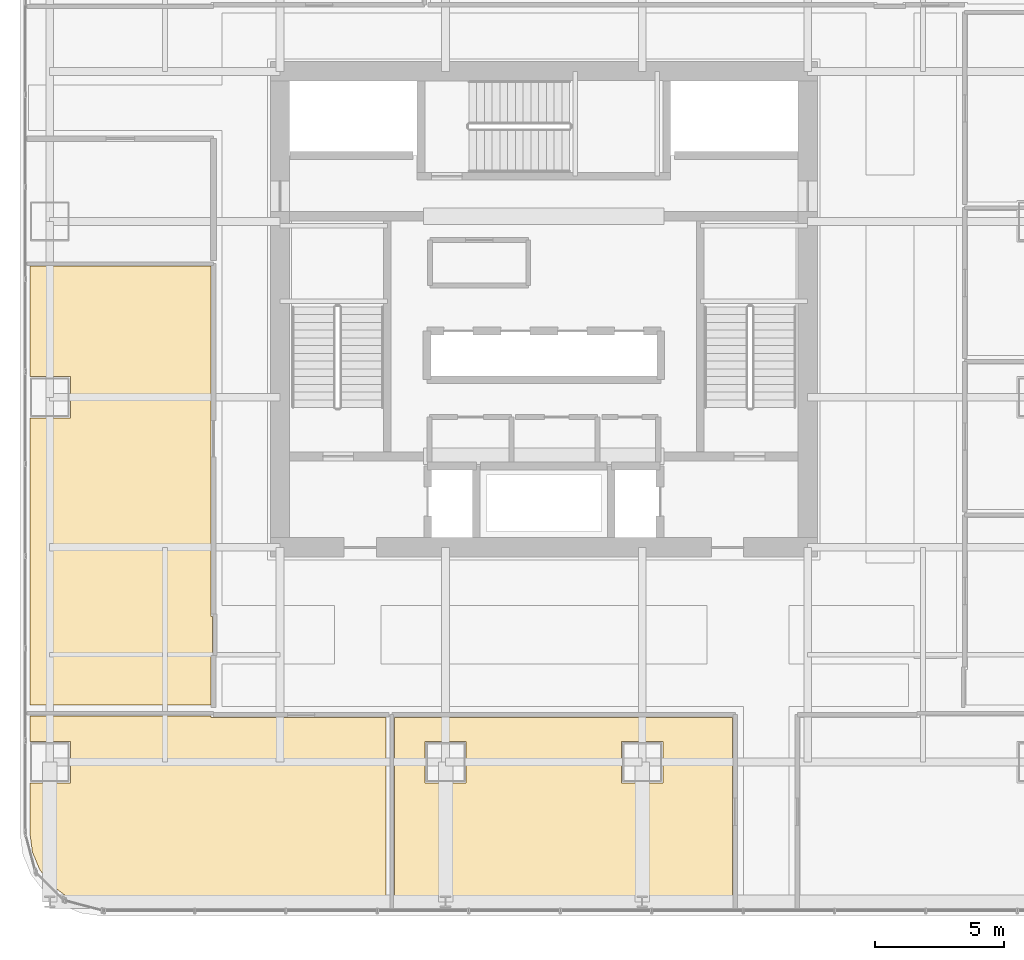
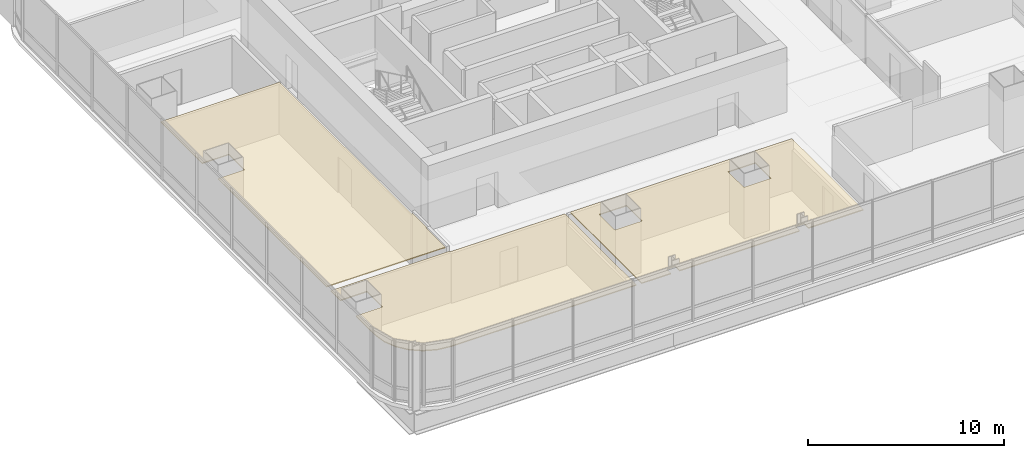
# One storey, part 30 of 34: 3 coverings.
"""IFC4 building model written with IfcOpenShell, lengths in metres."""

import ifcopenshell
import ifcopenshell.guid

model = None  # the IFC model being written
_history = None  # IfcOwnerHistory: only IFC2X3 demands one
_inside = {}  # id of a spatial element -> (the spatial element, [elements in it])
_under = {}  # id of a project, library or spatial element -> (it, [spatial elements below it])
_declared = {}  # id of a project -> (the project, [libraries it declares])
_typed = {}  # id of a type object -> (the type object, [elements of that type])
_made_of = {}  # id of a material, layer set ... -> (it, [elements and type objects made of it])


def new_model(schema):
    """Start an empty IFC model of exactly this schema.

    Asked for "IFC4X3", IfcOpenShell would pick the latest addendum, in which some entities
    have other attributes; the version numbers below select the first issue.
    IFC2X3 requires an IfcOwnerHistory on every rooted entity: one is made here for all.
    """
    global model, _history
    if schema == "IFC4X3":
        model = ifcopenshell.file(schema_version=(4, 3, 0, 0))
    else:
        model = ifcopenshell.file(schema=schema)
    _inside.clear()
    _under.clear()
    _declared.clear()
    _typed.clear()
    _made_of.clear()
    _history = None
    if model.schema == "IFC2X3":
        org = make("IfcOrganization", Name="unknown")
        user = make(
            "IfcPersonAndOrganization",
            ThePerson=make("IfcPerson", FamilyName="unknown"),
            TheOrganization=org,
        )
        app = make(
            "IfcApplication",
            ApplicationDeveloper=org,
            Version="unknown",
            ApplicationFullName="unknown",
            ApplicationIdentifier="unknown",
        )
        _history = make(
            "IfcOwnerHistory",
            OwningUser=user,
            OwningApplication=app,
            ChangeAction="ADDED",
            CreationDate=0,
        )
    return model


def make(cls, **values):
    """One entity of the class cls with the attributes given. An attribute that is None is left unset."""
    return model.create_entity(
        cls, **{name: value for name, value in values.items() if value is not None}
    )


def rooted(cls, **values):
    """An entity with a GlobalId (a new one), such as an element, a storey or a relation."""
    return make(cls, GlobalId=ifcopenshell.guid.new(), OwnerHistory=_history, **values)


def si_unit(unit_type, name, prefix=None):
    """IfcSIUnit, for example si_unit("LENGTHUNIT", "METRE", prefix="MILLI")."""
    return make("IfcSIUnit", UnitType=unit_type, Prefix=prefix, Name=name)


def assignment(units):
    """IfcUnitAssignment: the units of a project."""
    return None if units is None else make("IfcUnitAssignment", Units=units)


def point(xyz):
    """IfcCartesianPoint."""
    return None if xyz is None else make("IfcCartesianPoint", Coordinates=xyz)


def direction(xyz):
    """IfcDirection."""
    return None if xyz is None else make("IfcDirection", DirectionRatios=xyz)


def frame(location, z_axis=None, x_axis=None):
    """IfcAxis2Placement3D, a coordinate frame: its origin and axes. An axis left out is left unset."""
    return make(
        "IfcAxis2Placement3D",
        Location=point(location),
        Axis=direction(z_axis),
        RefDirection=direction(x_axis),
    )


def origin():
    """The frame at (0, 0, 0) with its axes left unset."""
    return frame((0.0, 0.0, 0.0))


def place(relative_to, where):
    """IfcLocalPlacement: puts the frame where relative to a parent placement (None: the world)."""
    return make(
        "IfcLocalPlacement", PlacementRelTo=relative_to, RelativePlacement=where
    )


def context(
    kind, dimensions, precision=None, world=None, true_north=None, identifier=None
):
    """IfcGeometricRepresentationContext, for example the 3D "Model" context."""
    return make(
        "IfcGeometricRepresentationContext",
        ContextIdentifier=identifier,
        ContextType=kind,
        CoordinateSpaceDimension=dimensions,
        Precision=precision,
        WorldCoordinateSystem=world,
        TrueNorth=true_north,
    )


def subcontext(parent, identifier, kind, view, scale=None):
    """IfcGeometricRepresentationSubContext, for example "Body" below "Model"."""
    return make(
        "IfcGeometricRepresentationSubContext",
        ContextIdentifier=identifier,
        ContextType=kind,
        ParentContext=parent,
        TargetScale=scale,
        TargetView=view,
    )


def project(units=None, contexts=None):
    """IfcProject with its units and contexts."""
    return rooted(
        "IfcProject",
        Name="project",
        RepresentationContexts=contexts,
        UnitsInContext=assignment(units),
    )


def spatial(cls, under=None, at=None, **own):
    """A site, building, storey or space (cls), placed at a placement, below another one or the project."""
    s = rooted(cls, ObjectPlacement=at, **own)
    if under is not None:
        _under.setdefault(under.id(), (under, []))[1].append(s)
    return s


def polyline(points):
    """IfcPolyline through the points."""
    return make("IfcPolyline", Points=[point(p) for p in points])


def outline(outer, holes=None, kind="AREA"):
    """IfcArbitraryClosedProfileDef: a profile drawn as a closed curve; with holes, ...WithVoids."""
    if holes is None:
        return make("IfcArbitraryClosedProfileDef", ProfileType=kind, OuterCurve=outer)
    return make(
        "IfcArbitraryProfileDefWithVoids",
        ProfileType=kind,
        OuterCurve=outer,
        InnerCurves=holes,
    )


def extrude(swept, where, along, depth):
    """IfcExtrudedAreaSolid: the profile swept, set in the frame where, extruded along a direction by depth."""
    return make(
        "IfcExtrudedAreaSolid",
        SweptArea=swept,
        Position=where,
        ExtrudedDirection=direction(along),
        Depth=depth,
    )


def shape(context_of_items, identifier, shape_type, items):
    """IfcShapeRepresentation: the items that make up one representation, for example the "Body"."""
    return make(
        "IfcShapeRepresentation",
        ContextOfItems=context_of_items,
        RepresentationIdentifier=identifier,
        RepresentationType=shape_type,
        Items=items,
    )


def material(Name=None, Category=None):
    """IfcMaterial."""
    return make("IfcMaterial", Name=Name, Category=Category)


def layer(
    of_material, thickness, ventilated=None, Name=None, Category=None, Priority=None
):
    """IfcMaterialLayer: one layer of a wall or slab, of a material (None: an air gap)."""
    return make(
        "IfcMaterialLayer",
        Material=of_material,
        LayerThickness=thickness,
        IsVentilated=ventilated,
        Name=Name,
        Category=Category,
        Priority=Priority,
    )


def layer_set(layers, Name=None):
    """IfcMaterialLayerSet."""
    return make("IfcMaterialLayerSet", MaterialLayers=layers, LayerSetName=Name)


def made_of(thing, what):
    """Note that an element or type object is made of a material, layer set ...; save() writes the relation."""
    if what is not None:
        _made_of.setdefault(what.id(), (what, []))[1].append(thing)
    return thing


def type_object(cls, material=None, **own):
    """A type object (cls), such as IfcWallType, which elements share."""
    return made_of(rooted(cls, **own), material)


def element(
    cls,
    number,
    at=None,
    inside=None,
    cuts=None,
    type_object=None,
    material=None,
    context=None,
    identifier="Body",
    shape_type=None,
    held_by="IfcProductDefinitionShape",
    body=None,
    shapes=None,
    **own,
):
    """One element of the class cls, such as IfcWall. Its Tag is "e" and its number.

    at: its placement. inside: the storey or other place that contains it. cuts: it is an
    opening in that element (IfcRelVoidsElement). A single representation is given by context,
    identifier, shape_type and body (its items); several are given by shapes. held_by: the class
    of the entity that holds the representations. save() writes the other relations.
    """
    e = rooted(cls, Tag="e%d" % number, ObjectPlacement=at, **own)
    if body is not None:
        shapes = [shape(context, identifier, shape_type, body)]
    if shapes is not None:
        e.Representation = make(held_by, Representations=shapes)
    if inside is not None:
        _inside.setdefault(inside.id(), (inside, []))[1].append(e)
    if cuts is not None:
        rooted(
            "IfcRelVoidsElement", RelatingBuildingElement=cuts, RelatedOpeningElement=e
        )
    if type_object is not None:
        _typed.setdefault(type_object.id(), (type_object, []))[1].append(e)
    return made_of(e, material)


def aggregate(whole, parts):
    """IfcRelAggregates: a whole, such as a stair, and the parts it consists of."""
    return rooted("IfcRelAggregates", RelatingObject=whole, RelatedObjects=parts)


def save(model, path):
    """Write the relations noted so far, then the file.

    IfcRelAggregates (storeys below a building ...), IfcRelContainedInSpatialStructure (elements
    in a storey), IfcRelDefinesByType, IfcRelAssociatesMaterial and IfcRelDeclares: one each for
    every whole, place, type object, material and project.
    """
    for whole, parts in _under.values():
        aggregate(whole, parts)
    for where, things in _inside.values():
        rooted(
            "IfcRelContainedInSpatialStructure",
            RelatedElements=things,
            RelatingStructure=where,
        )
    for kind, things in _typed.values():
        rooted("IfcRelDefinesByType", RelatedObjects=things, RelatingType=kind)
    for what, things in _made_of.values():
        rooted("IfcRelAssociatesMaterial", RelatedObjects=things, RelatingMaterial=what)
    for by, libraries in _declared.values():
        rooted("IfcRelDeclares", RelatingContext=by, RelatedDefinitions=libraries)
    model.write(path)


model = new_model("IFC4")

# Units and contexts
model_context = context("Model", 3, precision=1e-05, world=origin(), true_north=direction((0.0, 1.0)))
body_context = subcontext(model_context, "Body", "Model", "MODEL_VIEW")
ifc_project = project(units=[si_unit("LENGTHUNIT", "METRE"), si_unit("AREAUNIT", "SQUARE_METRE"), si_unit("VOLUMEUNIT", "CUBIC_METRE"), si_unit("PLANEANGLEUNIT", "RADIAN"), si_unit("MASSUNIT", "GRAM", prefix="KILO")], contexts=[model_context])

# Site, building, storey
site_placement = place(None, origin())
site = spatial("IfcSite", under=ifc_project, at=site_placement, CompositionType="ELEMENT")
building_placement = place(site_placement, origin())
building = spatial("IfcBuilding", under=site, at=building_placement, Name="Punatoya Terracotta Tower", CompositionType="ELEMENT")
storey_placement = place(building_placement, frame((0.0, 0.0, 84.89990234375)))
storey = spatial("IfcBuildingStorey", under=building, at=storey_placement, Name="L19", CompositionType="ELEMENT", Elevation=84.89990234375)

# Coverings
ifc_material = material(Name="Acoustic Mineral Fibre Ceiling")
ifc_layer = layer(ifc_material, 0.06005859375)
ifc_layer_set = layer_set([ifc_layer], Name="Acoustic Mineral Fibre Ceiling")
covering_type = type_object("IfcCoveringType", Name="COV-CEIL-60", PredefinedType="CEILING", material=ifc_layer_set)
covering_1_placement = place(storey_placement, frame((0.0, 0.0, 3.2001953125)))
element("IfcCovering", 1, at=covering_1_placement, inside=storey, type_object=covering_type, Name="L19 Open-Plan Computational Simulation Laboratory Acoustic Ceiling", PredefinedType="CEILING", context=body_context, shape_type="SweptSolid", body=[
    extrude(outline(polyline([(7.300048828125, -15.77001953125), (-5.77392578125, -15.77001953125), (-5.77392578125, -23.070068359375), (-4.05810546875, -23.070068359375), (-4.05810546875, -22.626953125), (-3.5419921875, -22.626953125), (-3.5419921875, -23.070068359375), (3.5419921875, -23.070068359375), (3.5419921875, -22.626953125), (4.05810546875, -22.626953125), (4.05810546875, -23.070068359375), (7.300048828125, -23.070068359375), (7.300048828125, -15.77001953125)]), holes=[polyline([(4.60009765625, -16.699951171875), (4.60009765625, -18.300048828125), (3.0, -18.300048828125), (3.0, -16.699951171875), (4.60009765625, -16.699951171875)]), polyline([(-4.60009765625, -16.699951171875), (-3.0, -16.699951171875), (-3.0, -18.300048828125), (-4.60009765625, -18.300048828125), (-4.60009765625, -16.699951171875)])]), origin(), (0.0, 0.0, 1.0), 0.059814453125),
])
covering_2_placement = place(storey_placement, frame((0.0, 0.0, 3.2001953125)))
element("IfcCovering", 2, at=covering_2_placement, inside=storey, type_object=covering_type, Name="L19 Open-Plan Cartography Reference Library Acoustic Ceiling", PredefinedType="CEILING", context=body_context, shape_type="SweptSolid", body=[
    extrude(outline(polyline([(-19.8701171875, -18.300048828125), (-19.8701171875, -20.22509765625), (-19.770751953125, -20.97900390625), (-19.489501953125, -21.658203125), (-19.041748046875, -22.24169921875), (-18.458251953125, -22.689453125), (-17.779052734375, -22.970703125), (-17.025146484375, -23.070068359375), (-6.093994140625, -23.070068359375), (-6.093994140625, -15.77001953125), (-12.8701171875, -15.77001953125), (-12.8701171875, -15.7099609375), (-19.8701171875, -15.7099609375), (-19.8701171875, -16.699951171875), (-18.300048828125, -16.699951171875), (-18.300048828125, -18.300048828125), (-19.8701171875, -18.300048828125)])), origin(), (0.0, 0.0, 1.0), 0.059814453125),
])
covering_3_placement = place(storey_placement, frame((0.0, 0.0, 3.2001953125)))
element("IfcCovering", 3, at=covering_3_placement, inside=storey, type_object=covering_type, Name="L19 Open-Plan Technical Seminar Room Acoustic Ceiling", PredefinedType="CEILING", context=body_context, shape_type="SweptSolid", body=[
    extrude(outline(polyline([(-19.8701171875, 1.669921875), (-19.8701171875, -2.60009765625), (-18.300048828125, -2.60009765625), (-18.300048828125, -4.199951171875), (-19.8701171875, -4.199951171875), (-19.8701171875, -15.2900390625), (-12.8701171875, -15.2900390625), (-12.8701171875, -13.280029296875), (-12.81005859375, -13.280029296875), (-12.81005859375, -11.8701171875), (-12.8701171875, -11.8701171875), (-12.8701171875, 1.669921875), (-19.8701171875, 1.669921875)])), origin(), (0.0, 0.0, 1.0), 0.059814453125),
])

save(model, "model.ifc")
